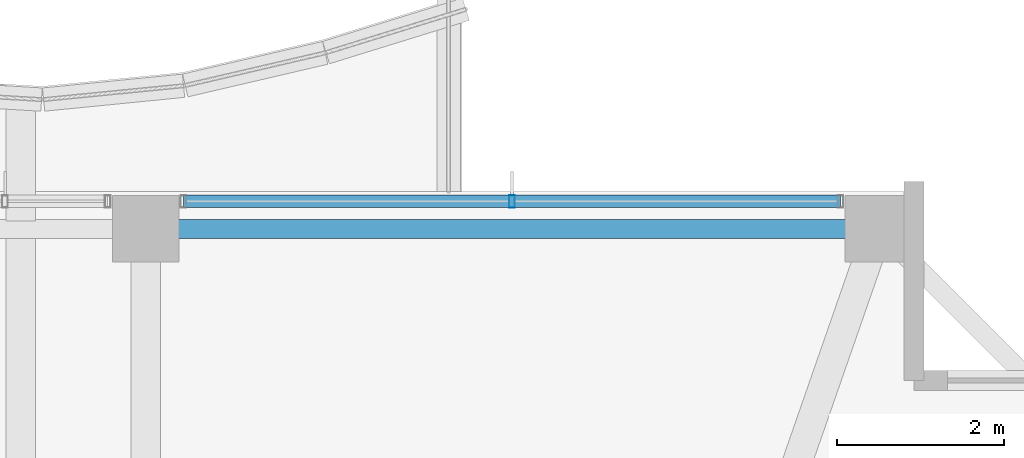
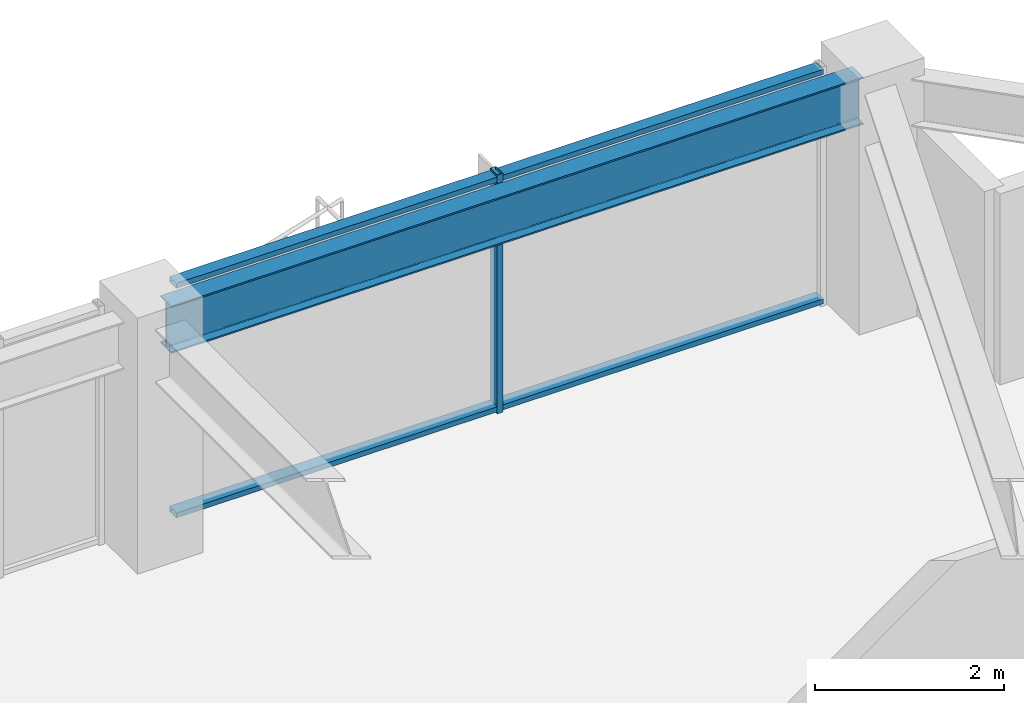
# One storey, part 19 of 36: 3 members, 1 beam, 1 element without a shape of its own.
"""IFC4 building model written with IfcOpenShell, lengths in metres."""

import ifcopenshell
import ifcopenshell.guid

model = None  # the IFC model being written
_history = None  # IfcOwnerHistory: only IFC2X3 demands one
_inside = {}  # id of a spatial element -> (the spatial element, [elements in it])
_under = {}  # id of a project, library or spatial element -> (it, [spatial elements below it])
_declared = {}  # id of a project -> (the project, [libraries it declares])
_typed = {}  # id of a type object -> (the type object, [elements of that type])
_made_of = {}  # id of a material, layer set ... -> (it, [elements and type objects made of it])


def new_model(schema):
    """Start an empty IFC model of exactly this schema.

    Asked for "IFC4X3", IfcOpenShell would pick the latest addendum, in which some entities
    have other attributes; the version numbers below select the first issue.
    IFC2X3 requires an IfcOwnerHistory on every rooted entity: one is made here for all.
    """
    global model, _history
    if schema == "IFC4X3":
        model = ifcopenshell.file(schema_version=(4, 3, 0, 0))
    else:
        model = ifcopenshell.file(schema=schema)
    _inside.clear()
    _under.clear()
    _declared.clear()
    _typed.clear()
    _made_of.clear()
    _history = None
    if model.schema == "IFC2X3":
        org = make("IfcOrganization", Name="unknown")
        user = make(
            "IfcPersonAndOrganization",
            ThePerson=make("IfcPerson", FamilyName="unknown"),
            TheOrganization=org,
        )
        app = make(
            "IfcApplication",
            ApplicationDeveloper=org,
            Version="unknown",
            ApplicationFullName="unknown",
            ApplicationIdentifier="unknown",
        )
        _history = make(
            "IfcOwnerHistory",
            OwningUser=user,
            OwningApplication=app,
            ChangeAction="ADDED",
            CreationDate=0,
        )
    return model


def make(cls, **values):
    """One entity of the class cls with the attributes given. An attribute that is None is left unset."""
    return model.create_entity(
        cls, **{name: value for name, value in values.items() if value is not None}
    )


def rooted(cls, **values):
    """An entity with a GlobalId (a new one), such as an element, a storey or a relation."""
    return make(cls, GlobalId=ifcopenshell.guid.new(), OwnerHistory=_history, **values)


def si_unit(unit_type, name, prefix=None):
    """IfcSIUnit, for example si_unit("LENGTHUNIT", "METRE", prefix="MILLI")."""
    return make("IfcSIUnit", UnitType=unit_type, Prefix=prefix, Name=name)


def assignment(units):
    """IfcUnitAssignment: the units of a project."""
    return None if units is None else make("IfcUnitAssignment", Units=units)


def point(xyz):
    """IfcCartesianPoint."""
    return None if xyz is None else make("IfcCartesianPoint", Coordinates=xyz)


def direction(xyz):
    """IfcDirection."""
    return None if xyz is None else make("IfcDirection", DirectionRatios=xyz)


def frame(location, z_axis=None, x_axis=None):
    """IfcAxis2Placement3D, a coordinate frame: its origin and axes. An axis left out is left unset."""
    return make(
        "IfcAxis2Placement3D",
        Location=point(location),
        Axis=direction(z_axis),
        RefDirection=direction(x_axis),
    )


def frame_2d(location, x_axis=None):
    """IfcAxis2Placement2D, a coordinate frame in the plane: its origin and x axis."""
    return make(
        "IfcAxis2Placement2D", Location=point(location), RefDirection=direction(x_axis)
    )


def origin():
    """The frame at (0, 0, 0) with its axes left unset."""
    return frame((0.0, 0.0, 0.0))


def origin_2d():
    """The frame at (0, 0) in the plane with its x axis left unset."""
    return frame_2d((0.0, 0.0))


def place(relative_to, where):
    """IfcLocalPlacement: puts the frame where relative to a parent placement (None: the world)."""
    return make(
        "IfcLocalPlacement", PlacementRelTo=relative_to, RelativePlacement=where
    )


def context(
    kind, dimensions, precision=None, world=None, true_north=None, identifier=None
):
    """IfcGeometricRepresentationContext, for example the 3D "Model" context."""
    return make(
        "IfcGeometricRepresentationContext",
        ContextIdentifier=identifier,
        ContextType=kind,
        CoordinateSpaceDimension=dimensions,
        Precision=precision,
        WorldCoordinateSystem=world,
        TrueNorth=true_north,
    )


def subcontext(parent, identifier, kind, view, scale=None):
    """IfcGeometricRepresentationSubContext, for example "Body" below "Model"."""
    return make(
        "IfcGeometricRepresentationSubContext",
        ContextIdentifier=identifier,
        ContextType=kind,
        ParentContext=parent,
        TargetScale=scale,
        TargetView=view,
    )


def project(units=None, contexts=None):
    """IfcProject with its units and contexts."""
    return rooted(
        "IfcProject",
        Name="project",
        RepresentationContexts=contexts,
        UnitsInContext=assignment(units),
    )


def spatial(cls, under=None, at=None, **own):
    """A site, building, storey or space (cls), placed at a placement, below another one or the project."""
    s = rooted(cls, ObjectPlacement=at, **own)
    if under is not None:
        _under.setdefault(under.id(), (under, []))[1].append(s)
    return s


def profile(cls, at=None, kind="AREA", **sizes):
    """A parametric profile (cls). Its sizes go by their IFC names, for example OverallWidth=200.0."""
    return make(cls, ProfileType=kind, Position=at, **sizes)


def hollow_rectangle(**sizes):
    """IfcRectangleHollowProfileDef."""
    return profile("IfcRectangleHollowProfileDef", **sizes)


def i_section(**sizes):
    """IfcIShapeProfileDef."""
    return profile("IfcIShapeProfileDef", **sizes)


def extrude(swept, where, along, depth):
    """IfcExtrudedAreaSolid: the profile swept, set in the frame where, extruded along a direction by depth."""
    return make(
        "IfcExtrudedAreaSolid",
        SweptArea=swept,
        Position=where,
        ExtrudedDirection=direction(along),
        Depth=depth,
    )


def shape(context_of_items, identifier, shape_type, items):
    """IfcShapeRepresentation: the items that make up one representation, for example the "Body"."""
    return make(
        "IfcShapeRepresentation",
        ContextOfItems=context_of_items,
        RepresentationIdentifier=identifier,
        RepresentationType=shape_type,
        Items=items,
    )


def material(Name=None, Category=None):
    """IfcMaterial."""
    return make("IfcMaterial", Name=Name, Category=Category)


def material_profile(
    of_material, cross_section, Name=None, Category=None, Priority=None
):
    """IfcMaterialProfile: a cross section and its material."""
    return make(
        "IfcMaterialProfile",
        Name=Name,
        Material=of_material,
        Profile=cross_section,
        Priority=Priority,
        Category=Category,
    )


def profile_set(profiles, Name=None, composite=None):
    """IfcMaterialProfileSet."""
    return make(
        "IfcMaterialProfileSet",
        Name=Name,
        MaterialProfiles=profiles,
        CompositeProfile=composite,
    )


def made_of(thing, what):
    """Note that an element or type object is made of a material, layer set ...; save() writes the relation."""
    if what is not None:
        _made_of.setdefault(what.id(), (what, []))[1].append(thing)
    return thing


def type_object(cls, material=None, **own):
    """A type object (cls), such as IfcWallType, which elements share."""
    return made_of(rooted(cls, **own), material)


def element(
    cls,
    number,
    at=None,
    inside=None,
    cuts=None,
    type_object=None,
    material=None,
    context=None,
    identifier="Body",
    shape_type=None,
    held_by="IfcProductDefinitionShape",
    body=None,
    shapes=None,
    **own,
):
    """One element of the class cls, such as IfcWall. Its Tag is "e" and its number.

    at: its placement. inside: the storey or other place that contains it. cuts: it is an
    opening in that element (IfcRelVoidsElement). A single representation is given by context,
    identifier, shape_type and body (its items); several are given by shapes. held_by: the class
    of the entity that holds the representations. save() writes the other relations.
    """
    e = rooted(cls, Tag="e%d" % number, ObjectPlacement=at, **own)
    if body is not None:
        shapes = [shape(context, identifier, shape_type, body)]
    if shapes is not None:
        e.Representation = make(held_by, Representations=shapes)
    if inside is not None:
        _inside.setdefault(inside.id(), (inside, []))[1].append(e)
    if cuts is not None:
        rooted(
            "IfcRelVoidsElement", RelatingBuildingElement=cuts, RelatedOpeningElement=e
        )
    if type_object is not None:
        _typed.setdefault(type_object.id(), (type_object, []))[1].append(e)
    return made_of(e, material)


def aggregate(whole, parts):
    """IfcRelAggregates: a whole, such as a stair, and the parts it consists of."""
    return rooted("IfcRelAggregates", RelatingObject=whole, RelatedObjects=parts)


def save(model, path):
    """Write the relations noted so far, then the file.

    IfcRelAggregates (storeys below a building ...), IfcRelContainedInSpatialStructure (elements
    in a storey), IfcRelDefinesByType, IfcRelAssociatesMaterial and IfcRelDeclares: one each for
    every whole, place, type object, material and project.
    """
    for whole, parts in _under.values():
        aggregate(whole, parts)
    for where, things in _inside.values():
        rooted(
            "IfcRelContainedInSpatialStructure",
            RelatedElements=things,
            RelatingStructure=where,
        )
    for kind, things in _typed.values():
        rooted("IfcRelDefinesByType", RelatedObjects=things, RelatingType=kind)
    for what, things in _made_of.values():
        rooted("IfcRelAssociatesMaterial", RelatedObjects=things, RelatingMaterial=what)
    for by, libraries in _declared.values():
        rooted("IfcRelDeclares", RelatingContext=by, RelatedDefinitions=libraries)
    model.write(path)


model = new_model("IFC4")

# Units and contexts
model_context = context("Model", 3, precision=1e-05, world=origin(), true_north=direction((0.0, 1.0)))
body_context = subcontext(model_context, "Body", "Model", "MODEL_VIEW")
ifc_project = project(units=[si_unit("LENGTHUNIT", "METRE"), si_unit("AREAUNIT", "SQUARE_METRE"), si_unit("VOLUMEUNIT", "CUBIC_METRE"), si_unit("PLANEANGLEUNIT", "RADIAN"), si_unit("MASSUNIT", "GRAM", prefix="KILO")], contexts=[model_context])

# Site, building, storey
site_placement = place(None, origin())
site = spatial("IfcSite", under=ifc_project, at=site_placement, CompositionType="ELEMENT")
building_placement = place(site_placement, origin())
building = spatial("IfcBuilding", under=site, at=building_placement, Name="Kolvaren Belvedere", CompositionType="ELEMENT")
storey_placement = place(building_placement, frame((0.0, 0.0, 193.199951171875)))
storey = spatial("IfcBuildingStorey", under=building, at=storey_placement, Name="L56", CompositionType="ELEMENT", Elevation=193.199951171875)

# Beam
ifc_material_1 = material(Name="Structural steel ASTM A992 Grade 50", Category="steel")
ifc_material_profile_1 = material_profile(ifc_material_1, i_section(OverallWidth=0.22900390625, OverallDepth=0.612060546875, WebThickness=0.011962890625, FlangeThickness=0.01953125, FilletRadius=0.01806640625, at=origin_2d()), Name="W24X84")
ifc_profile_set_1 = profile_set([ifc_material_profile_1], Name="Structural steel ASTM A992 Grade 50")
beam_type = type_object("IfcBeamType", Name="BM-SPAN-W24X84", PredefinedType="SPANDREL", material=ifc_profile_set_1)
beam_placement = place(storey_placement, frame((13.219970703125, 19.949951171875, 2.774169921875), z_axis=(-1.0, 0.0, 0.0), x_axis=(0.0, -1.0, 0.0)))
element("IfcBeam", 1, at=beam_placement, inside=storey, type_object=beam_type, Name="L56 Perimeter Spandrel N4-N3", PredefinedType="SPANDREL", context=body_context, shape_type="SweptSolid", body=[
    extrude(i_section(OverallWidth=0.22900390625, OverallDepth=0.612060546875, WebThickness=0.011962890625, FlangeThickness=0.01953125, FilletRadius=0.01806640625, at=origin_2d()), origin(), (0.0, 0.0, 1.0), 8.43994140625),
])

# Curtain wall, members
ifc_material_2 = material(Name="Anodised pale-metal aluminium AA 6063-T6", Category="aluminium")
curtain_wall_type = type_object("IfcCurtainWallType", Name="CW-Z5-HIGH", PredefinedType="NOTDEFINED", material=ifc_material_2)
curtain_wall_placement = place(storey_placement, origin())
curtain_wall = element("IfcCurtainWall", 2, at=curtain_wall_placement, inside=storey, type_object=curtain_wall_type, Name="L56 Unitised Curtain Wall FCW-L56-N2-B2", PredefinedType="NOTDEFINED")
ifc_material_3 = material(Name="Anodised pale-metal aluminium AA 6063-T6", Category="aluminium")
ifc_material_profile_2 = material_profile(ifc_material_3, hollow_rectangle(XDim=0.070068359375, YDim=0.14990234375, WallThickness=0.004150390625, at=origin_2d()), Name="ALU-MUL-150X70")
ifc_profile_set_2 = profile_set([ifc_material_profile_2], Name="Anodised pale-metal aluminium AA 6063-T6")
member_type_1 = type_object("IfcMemberType", Name="CW-MUL-150", PredefinedType="MULLION", material=ifc_profile_set_2)
member_1_placement = place(storey_placement, frame((9.0, 20.280029296875, 0.0), z_axis=(0.0, 0.0, 1.0), x_axis=(1.0, 0.0, 0.0)))
member_1 = element("IfcMember", 3, at=member_1_placement, type_object=member_type_1, Name="FCW-L56-N2-B2 Unitised Mullion 2", PredefinedType="MULLION", context=body_context, shape_type="SweptSolid", body=[
    extrude(hollow_rectangle(XDim=0.070068359375, YDim=0.14990234375, WallThickness=0.004150390625, at=origin_2d()), origin(), (0.0, 0.0, 1.0), 3.080078125),
])
ifc_material_4 = material(Name="Anodised pale-metal aluminium AA 6063-T6", Category="aluminium")
ifc_material_profile_3 = material_profile(ifc_material_4, hollow_rectangle(XDim=0.06494140625, YDim=0.14990234375, WallThickness=0.00390625, at=origin_2d()), Name="ALU-TRN-150X65")
ifc_profile_set_3 = profile_set([ifc_material_profile_3], Name="Anodised pale-metal aluminium AA 6063-T6")
member_type_2 = type_object("IfcMemberType", Name="CW-TRN-150", PredefinedType="USERDEFINED", material=ifc_profile_set_3)
member_2_placement = place(storey_placement, frame((5.054931640625, 20.280029296875, 0.06005859375), z_axis=(1.0, 0.0, 0.0), x_axis=(0.0, 0.0, 1.0)))
member_2 = element("IfcMember", 4, at=member_2_placement, type_object=member_type_2, Name="FCW-L56-N2-B2 Sill Transom", ObjectType="TRANSOM", PredefinedType="USERDEFINED", context=body_context, shape_type="SweptSolid", body=[
    extrude(hollow_rectangle(XDim=0.06494140625, YDim=0.14990234375, WallThickness=0.00390625, at=origin_2d()), origin(), (0.0, 0.0, 1.0), 7.89013671875),
])
member_3_placement = place(storey_placement, frame((5.054931640625, 20.280029296875, 3.02001953125), z_axis=(1.0, 0.0, 0.0), x_axis=(0.0, 0.0, 1.0)))
member_3 = element("IfcMember", 5, at=member_3_placement, type_object=member_type_2, Name="FCW-L56-N2-B2 Head Transom", ObjectType="TRANSOM", PredefinedType="USERDEFINED", context=body_context, shape_type="SweptSolid", body=[
    extrude(hollow_rectangle(XDim=0.06494140625, YDim=0.14990234375, WallThickness=0.00390625, at=origin_2d()), origin(), (0.0, 0.0, 1.0), 7.89013671875),
])
aggregate(curtain_wall, [member_1, member_2, member_3])

save(model, "model.ifc")
